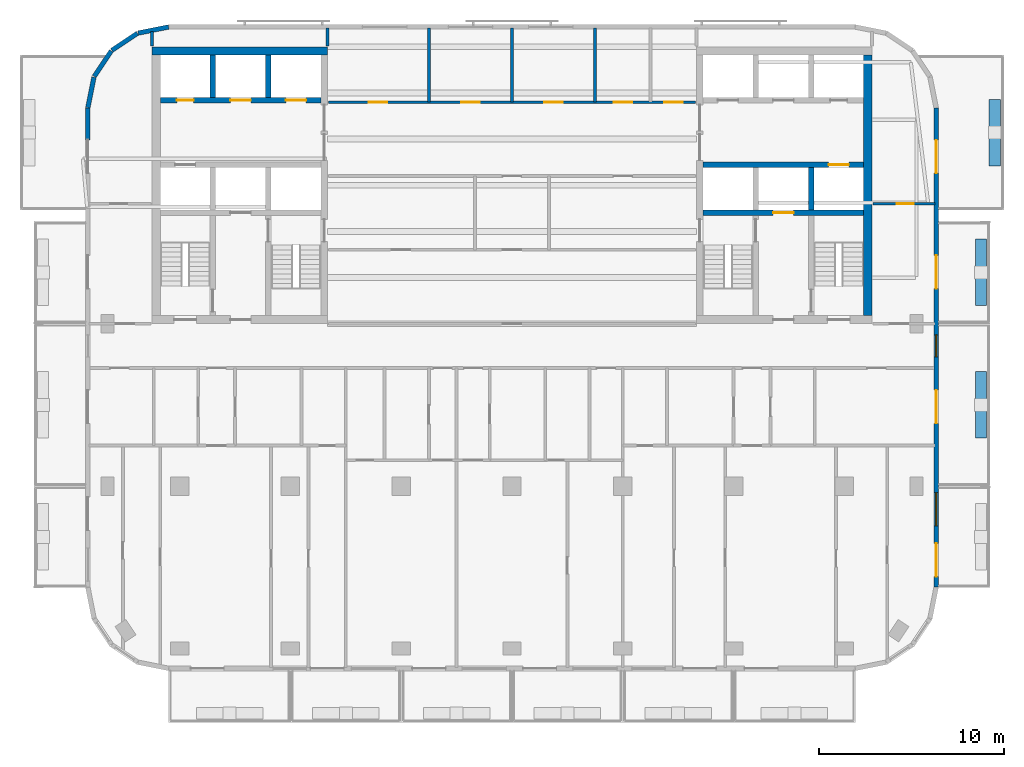
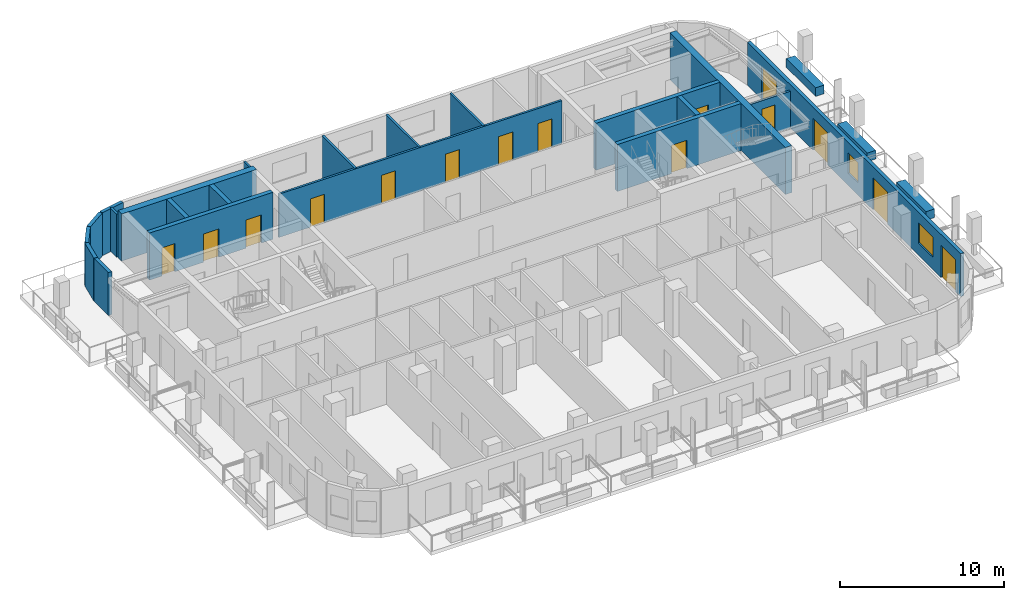
# One storey, part 6 of 11: 24 walls, 15 doors, 2 windows, 17 openings.
"""IFC4 building model written with IfcOpenShell, lengths in metres."""

from ifc_helpers import new_model, si_unit, direction, frame, frame_2d, origin, place, context, subcontext, project, spatial, rectangle, extrude, material, layer, layer_set, type_object, element, fill, save


model = new_model("IFC4")

# Units and contexts
model_context = context("Model", 3, precision=1e-05, world=origin(), true_north=direction((0.0, 1.0)))
body_context = subcontext(model_context, "Body", "Model", "MODEL_VIEW")
ifc_project = project(units=[si_unit("LENGTHUNIT", "METRE"), si_unit("AREAUNIT", "SQUARE_METRE"), si_unit("VOLUMEUNIT", "CUBIC_METRE"), si_unit("PLANEANGLEUNIT", "RADIAN"), si_unit("MASSUNIT", "GRAM", prefix="KILO")], contexts=[model_context])

# Site, building, storey
site_placement = place(None, origin())
site = spatial("IfcSite", under=ifc_project, at=site_placement, CompositionType="ELEMENT")
building_placement = place(site_placement, origin())
building = spatial("IfcBuilding", under=site, at=building_placement, Name="Torana Hotel and Residences", CompositionType="ELEMENT")
storey_placement = place(building_placement, frame((0.0, 0.0, 305.10009765625)))
storey = spatial("IfcBuildingStorey", under=building, at=storey_placement, Name="L81", CompositionType="ELEMENT", Elevation=305.10009765625)

# Wall, openings, doors
ifc_material_1 = material(Name="Concrete C60/75", Category="concrete")
ifc_layer_1 = layer(ifc_material_1, 0.300048828125)
ifc_layer_set_1 = layer_set([ifc_layer_1], Name="CORE WALL 300 C60/75")
wall_type_1 = type_object("IfcWallType", Name="CORE WALL 300 C60/75", PredefinedType="SHEAR", material=ifc_layer_set_1)
wall_1_placement = place(storey_placement, frame((-19.050048828125, -2.89990234375, 0.0), z_axis=(0.0, 0.0, 1.0), x_axis=(1.0, 0.0, 0.0)))
wall_1 = element("IfcWall", 1, at=wall_1_placement, inside=storey, type_object=wall_type_1, Name="Core wall W row-N", PredefinedType="SHEAR", context=body_context, shape_type="SweptSolid", body=[
    extrude(rectangle(XDim=8.699951171875, YDim=0.300048828125, at=frame_2d((4.35009765625, 0.0))), origin(), (0.0, 0.0, 1.0), 3.5),
])
opening_1_placement = place(wall_1_placement, frame((6.800048828125, 0.0, 0.0)))
opening_1 = element("IfcOpeningElement", 2, at=opening_1_placement, cuts=wall_1, Name="Opening LD", PredefinedType="OPENING", context=body_context, shape_type="SweptSolid", body=[
    extrude(rectangle(XDim=1.10009765625, YDim=2.10009765625, at=frame_2d((0.550048828125, 1.050048828125))), frame((0.0, 0.159912109375, 0.0), z_axis=(0.0, -1.0, 0.0), x_axis=(1.0, 0.0, 0.0)), (0.0, 0.0, 1.0), 0.320068359375),
])
opening_2_placement = place(wall_1_placement, frame((3.800048828125, 0.0, 0.0)))
opening_2 = element("IfcOpeningElement", 3, at=opening_2_placement, cuts=wall_1, Name="Opening LD", PredefinedType="OPENING", context=body_context, shape_type="SweptSolid", body=[
    extrude(rectangle(XDim=1.10009765625, YDim=2.10009765625, at=frame_2d((0.550048828125, 1.050048828125))), frame((0.0, 0.159912109375, 0.0), z_axis=(0.0, -1.0, 0.0), x_axis=(1.0, 0.0, 0.0)), (0.0, 0.0, 1.0), 0.320068359375),
])
opening_3_placement = place(wall_1_placement, frame((0.89990234375, 0.0, 0.0)))
opening_3 = element("IfcOpeningElement", 4, at=opening_3_placement, cuts=wall_1, Name="Opening L81-06", PredefinedType="OPENING", context=body_context, shape_type="SweptSolid", body=[
    extrude(rectangle(XDim=0.89990234375, YDim=2.10009765625, at=frame_2d((0.449951171875, 1.050048828125))), frame((0.0, 0.159912109375, 0.0), z_axis=(0.0, -1.0, 0.0), x_axis=(1.0, 0.0, 0.0)), (0.0, 0.0, 1.0), 0.320068359375),
])
ifc_material_2 = material(Name="Stainless steel 316", Category="steel")
door_type_1 = type_object("IfcDoorType", Name="LIFT LANDING DOOR LD 1100x2100", OperationType="DOUBLE_DOOR_SLIDING", PredefinedType="USERDEFINED", material=ifc_material_2)
door_1_placement = place(opening_1_placement, origin())
door_1 = element("IfcDoor", 5, at=door_1_placement, inside=storey, type_object=door_type_1, Name="Lift landing door H1 L81", ObjectType="LIFT LANDING DOOR", OperationType="DOUBLE_DOOR_SLIDING", OverallHeight=2.10009765625, OverallWidth=1.10009765625, PredefinedType="USERDEFINED", context=body_context, shape_type="SweptSolid", body=[
    extrude(rectangle(XDim=1.10009765625, YDim=2.10009765625, at=frame_2d((0.550048828125, 1.050048828125))), frame((0.0, 0.02490234375, 0.0), z_axis=(0.0, -1.0, 0.0), x_axis=(1.0, 0.0, 0.0)), (0.0, 0.0, 1.0), 0.050048828125),
])
fill(opening_1, door_1)
door_2_placement = place(opening_2_placement, origin())
door_2 = element("IfcDoor", 6, at=door_2_placement, inside=storey, type_object=door_type_1, Name="Lift landing door H2 L81", ObjectType="LIFT LANDING DOOR", OperationType="DOUBLE_DOOR_SLIDING", OverallHeight=2.10009765625, OverallWidth=1.10009765625, PredefinedType="USERDEFINED", context=body_context, shape_type="SweptSolid", body=[
    extrude(rectangle(XDim=1.10009765625, YDim=2.10009765625, at=frame_2d((0.550048828125, 1.050048828125))), frame((0.0, 0.02490234375, 0.0), z_axis=(0.0, -1.0, 0.0), x_axis=(1.0, 0.0, 0.0)), (0.0, 0.0, 1.0), 0.050048828125),
])
fill(opening_2, door_2)
ifc_material_3 = material(Name="Steel S235", Category="steel")
door_type_2 = type_object("IfcDoorType", Name="RISER ACCESS DOOR D5 900x2100", OperationType="SINGLE_SWING_LEFT", PredefinedType="DOOR", material=ifc_material_3)
door_3_placement = place(opening_3_placement, origin())
door_3 = element("IfcDoor", 7, at=door_3_placement, inside=storey, type_object=door_type_2, Name="N2 door L81", OperationType="SINGLE_SWING_RIGHT", OverallHeight=2.10009765625, OverallWidth=0.89990234375, PredefinedType="DOOR", context=body_context, shape_type="SweptSolid", body=[
    extrude(rectangle(XDim=0.89990234375, YDim=2.10009765625, at=frame_2d((0.449951171875, 1.050048828125))), frame((0.0, 0.02490234375, 0.0), z_axis=(0.0, -1.0, 0.0), x_axis=(1.0, 0.0, 0.0)), (0.0, 0.0, 1.0), 0.050048828125),
])
fill(opening_3, door_3)

# Walls
for number, where, z_axis, x_axis, name in (
    (8, (-13.199951171875, -2.75, 0.0), (0.0, 0.0, 1.0), (0.0, 1.0, 0.0), "Core wall W x3.05-N"),
    (9, (-16.199951171875, -2.75, 0.0), (0.0, 0.0, 1.0), (0.0, 1.0, 0.0), "Core wall W x6.05-N"),
):
    element("IfcWall", number, at=place(storey_placement, frame(where, z_axis=z_axis, x_axis=x_axis)), inside=storey, type_object=wall_type_1, Name=name, PredefinedType="SHEAR", context=body_context, shape_type="SweptSolid", body=[
        extrude(rectangle(XDim=2.300048828125, YDim=0.300048828125, at=frame_2d((1.14990234375, 0.0))), origin(), (0.0, 0.0, 1.0), 3.5),
    ])

# Wall, opening, door
wall_2_placement = place(storey_placement, frame((10.35009765625, -6.39990234375, 0.0), z_axis=(0.0, 0.0, 1.0), x_axis=(1.0, 0.0, 0.0)))
wall_2 = element("IfcWall", 10, at=wall_2_placement, inside=storey, type_object=wall_type_1, Name="Core wall E row-S", PredefinedType="SHEAR", context=body_context, shape_type="SweptSolid", body=[
    extrude(rectangle(XDim=8.699951171875, YDim=0.300048828125, at=frame_2d((4.35009765625, 0.0))), origin(), (0.0, 0.0, 1.0), 3.5),
])
opening_4_placement = place(wall_2_placement, frame((6.800048828125, 0.0, 0.0)))
opening_4 = element("IfcOpeningElement", 11, at=opening_4_placement, cuts=wall_2, Name="Opening LD", PredefinedType="OPENING", context=body_context, shape_type="SweptSolid", body=[
    extrude(rectangle(XDim=1.10009765625, YDim=2.10009765625, at=frame_2d((0.550048828125, 1.050048828125))), frame((0.0, 0.159912109375, 0.0), z_axis=(0.0, -1.0, 0.0), x_axis=(1.0, 0.0, 0.0)), (0.0, 0.0, 1.0), 0.320068359375),
])
door_4_placement = place(opening_4_placement, origin())
door_4 = element("IfcDoor", 12, at=door_4_placement, inside=storey, type_object=door_type_1, Name="Lift landing door SV2 L81", ObjectType="LIFT LANDING DOOR", OperationType="DOUBLE_DOOR_SLIDING", OverallHeight=2.10009765625, OverallWidth=1.10009765625, PredefinedType="USERDEFINED", context=body_context, shape_type="SweptSolid", body=[
    extrude(rectangle(XDim=1.10009765625, YDim=2.10009765625, at=frame_2d((0.550048828125, 1.050048828125))), frame((0.0, 0.02490234375, 0.0), z_axis=(0.0, -1.0, 0.0), x_axis=(1.0, 0.0, 0.0)), (0.0, 0.0, 1.0), 0.050048828125),
])
fill(opening_4, door_4)

wall_3_placement = place(storey_placement, frame((10.35009765625, -9.0, 0.0), z_axis=(0.0, 0.0, 1.0), x_axis=(1.0, 0.0, 0.0)))
wall_3 = element("IfcWall", 13, at=wall_3_placement, inside=storey, type_object=wall_type_1, Name="Core wall E band", PredefinedType="SHEAR", context=body_context, shape_type="SweptSolid", body=[
    extrude(rectangle(XDim=8.699951171875, YDim=0.300048828125, at=frame_2d((4.35009765625, 0.0))), origin(), (0.0, 0.0, 1.0), 3.5),
])
opening_5_placement = place(wall_3_placement, frame((3.800048828125, 0.0, 0.0)))
opening_5 = element("IfcOpeningElement", 14, at=opening_5_placement, cuts=wall_3, Name="Opening LD", PredefinedType="OPENING", context=body_context, shape_type="SweptSolid", body=[
    extrude(rectangle(XDim=1.10009765625, YDim=2.10009765625, at=frame_2d((0.550048828125, 1.050048828125))), frame((0.0, 0.159912109375, 0.0), z_axis=(0.0, -1.0, 0.0), x_axis=(1.0, 0.0, 0.0)), (0.0, 0.0, 1.0), 0.320068359375),
])
door_5_placement = place(opening_5_placement, origin())
door_5 = element("IfcDoor", 15, at=door_5_placement, inside=storey, type_object=door_type_1, Name="Lift landing door FF2 L81", ObjectType="LIFT LANDING DOOR", OperationType="DOUBLE_DOOR_SLIDING", OverallHeight=2.10009765625, OverallWidth=1.10009765625, PredefinedType="USERDEFINED", context=body_context, shape_type="SweptSolid", body=[
    extrude(rectangle(XDim=1.10009765625, YDim=2.10009765625, at=frame_2d((0.550048828125, 1.050048828125))), frame((0.0, 0.02490234375, 0.0), z_axis=(0.0, -1.0, 0.0), x_axis=(1.0, 0.0, 0.0)), (0.0, 0.0, 1.0), 0.050048828125),
])
fill(opening_5, door_5)

# Walls
wall_4_placement = place(storey_placement, frame((16.199951171875, -8.85009765625, 0.0), z_axis=(0.0, 0.0, 1.0), x_axis=(0.0, 1.0, 0.0)))
element("IfcWall", 16, at=wall_4_placement, inside=storey, type_object=wall_type_1, Name="Core wall E x6.05-S", PredefinedType="SHEAR", context=body_context, shape_type="SweptSolid", body=[
    extrude(rectangle(XDim=2.300048828125, YDim=0.300048828125, at=frame_2d((1.14990234375, 0.0))), origin(), (0.0, 0.0, 1.0), 3.5),
])
ifc_material_4 = material(Name="Concrete C60/75", Category="concrete")
ifc_layer_2 = layer(ifc_material_4, 0.449951171875)
ifc_layer_set_2 = layer_set([ifc_layer_2], Name="CORE WALL 450 C60/75")
wall_type_2 = type_object("IfcWallType", Name="CORE WALL 450 C60/75", PredefinedType="SHEAR", material=ifc_layer_set_2)
wall_5_placement = place(storey_placement, frame((-19.5, -0.22509765625, 0.0), z_axis=(0.0, 0.0, 1.0), x_axis=(1.0, 0.0, 0.0)))
element("IfcWall", 17, at=wall_5_placement, inside=storey, type_object=wall_type_2, Name="Core wall W rear", PredefinedType="SHEAR", context=body_context, shape_type="SweptSolid", body=[
    extrude(rectangle(XDim=9.5, YDim=0.449951171875, at=frame_2d((4.75, 0.0))), origin(), (0.0, 0.0, 1.0), 3.5),
])
wall_6_placement = place(storey_placement, frame((19.27490234375, -14.550048828125, 0.0), z_axis=(0.0, 0.0, 1.0), x_axis=(0.0, 1.0, 0.0)))
element("IfcWall", 18, at=wall_6_placement, inside=storey, type_object=wall_type_2, Name="Core wall E outer", PredefinedType="SHEAR", context=body_context, shape_type="SweptSolid", body=[
    extrude(rectangle(XDim=14.10009765625, YDim=0.449951171875, at=frame_2d((7.050048828125, 0.0))), origin(), (0.0, 0.0, 1.0), 3.5),
])
ifc_material_5 = material(Name="Black aluminium composite panel", Category="aluminium")
ifc_layer_3 = layer(ifc_material_5, 0.00390625, Name="Cladding", Category="cladding")
ifc_material_6 = material(Name="Ventilated air cavity")
ifc_layer_4 = layer(ifc_material_6, 0.0400390625, Name="Ventilated cavity", Category="cavity")
ifc_material_7 = material(Name="Mineral wool insulation")
ifc_layer_5 = layer(ifc_material_7, 0.090087890625, Name="Insulation", Category="insulation")
ifc_material_8 = material(Name="Steel S280GD", Category="steel")
ifc_layer_6 = layer(ifc_material_8, 0.092041015625, Name="Steel stud frame", Category="structure")
ifc_material_9 = material(Name="Fire rated plasterboard")
ifc_layer_7 = layer(ifc_material_9, 0.011962890625, Name="Inner board", Category="finish")
ifc_layer_8 = layer(ifc_material_9, 0.011962890625, Name="Second board", Category="finish")
ifc_layer_set_3 = layer_set([ifc_layer_3, ifc_layer_4, ifc_layer_5, ifc_layer_6, ifc_layer_7, ifc_layer_8], Name="EW1 EXTERNAL WALL BLACK METAL CLAD 250")
wall_type_3 = type_object("IfcWallType", Name="EW1 EXTERNAL WALL BLACK METAL CLAD 250", PredefinedType="SOLIDWALL", material=ifc_layer_set_3)
wall_7_placement = place(storey_placement, frame((-18.599853515625, 1.072509765625, 0.0), z_axis=(0.0, 0.0, 1.0), x_axis=(-0.980797896849, -0.195026884138, 0.0)))
element("IfcWall", 19, at=wall_7_placement, inside=storey, type_object=wall_type_3, Name="External wall L81 e0.5", PredefinedType="SOLIDWALL", context=body_context, shape_type="SweptSolid", body=[
    extrude(rectangle(XDim=1.68115234375, YDim=0.25, at=frame_2d((0.840576171875, 0.0))), origin(), (0.0, 0.0, 1.0), 3.199951171875),
])
for number, where, z_axis, x_axis, name in (
    (20, (-20.2939453125, 0.725830078125, 0.0), (0.0, 0.0, 1.0), (-0.831482937015, -0.55555029066, 0.0), "External wall L81 e0.6"),
    (21, (-21.705810546875, -0.228759765625, 0.0), (0.0, 0.0, 1.0), (-0.55555029066, -0.831482937015, 0.0), "External wall L81 e0.7"),
):
    element("IfcWall", number, at=place(storey_placement, frame(where, z_axis=z_axis, x_axis=x_axis)), inside=storey, type_object=wall_type_3, Name=name, PredefinedType="SOLIDWALL", context=body_context, shape_type="SweptSolid", body=[
        extrude(rectangle(XDim=1.65625, YDim=0.25, at=frame_2d((0.828125, 0.0))), origin(), (0.0, 0.0, 1.0), 3.199951171875),
    ])
wall_8_placement = place(storey_placement, frame((-22.64453125, -1.651123046875, 0.0), z_axis=(0.0, 0.0, 1.0), x_axis=(-0.19513878023, -0.980775640221, 0.0)))
element("IfcWall", 22, at=wall_8_placement, inside=storey, type_object=wall_type_3, Name="External wall L81 e0.8", PredefinedType="SOLIDWALL", context=body_context, shape_type="SweptSolid", body=[
    extrude(rectangle(XDim=1.681396484375, YDim=0.25, at=frame_2d((0.8408203125, 0.0))), origin(), (0.0, 0.0, 1.0), 3.199951171875),
])
wall_9_placement = place(storey_placement, frame((-22.97509765625, -3.32470703125, 0.0), z_axis=(0.0, 0.0, 1.0), x_axis=(0.0, -1.0, 0.0)))
element("IfcWall", 23, at=wall_9_placement, inside=storey, type_object=wall_type_3, Name="External wall L81 e0.9", PredefinedType="SOLIDWALL", context=body_context, shape_type="SweptSolid", body=[
    extrude(rectangle(XDim=1.725341796875, YDim=0.25, at=frame_2d((0.86279296875, 0.0))), origin(), (0.0, 0.0, 1.0), 3.199951171875),
])

# Wall, openings, doors, windows
wall_10_placement = place(storey_placement, frame((22.97509765625, -29.275390625, 0.0), z_axis=(0.0, 0.0, 1.0), x_axis=(0.0, 1.0, 0.0)))
wall_10 = element("IfcWall", 24, at=wall_10_placement, inside=storey, type_object=wall_type_3, Name="External wall L81 e0.19", PredefinedType="SOLIDWALL", context=body_context, shape_type="SweptSolid", body=[
    extrude(rectangle(XDim=25.95068359375, YDim=0.25, at=frame_2d((12.975341796875, 0.0))), origin(), (0.0, 0.0, 1.0), 3.199951171875),
])
opening_6_placement = place(wall_10_placement, frame((0.575439453125, 0.0, 0.0)))
opening_6 = element("IfcOpeningElement", 25, at=opening_6_placement, cuts=wall_10, Name="Opening L81-E07", PredefinedType="OPENING", context=body_context, shape_type="SweptSolid", body=[
    extrude(rectangle(XDim=1.800048828125, YDim=2.39990234375, at=frame_2d((0.89990234375, 1.199951171875))), frame((0.0, 0.135009765625, 0.0), z_axis=(0.0, -1.0, 0.0), x_axis=(1.0, 0.0, 0.0)), (0.0, 0.0, 1.0), 0.27001953125),
])
opening_7_placement = place(wall_10_placement, frame((3.325439453125, 0.0, 0.89990234375)))
opening_7 = element("IfcOpeningElement", 26, at=opening_7_placement, cuts=wall_10, Name="Opening W4", PredefinedType="OPENING", context=body_context, shape_type="SweptSolid", body=[
    extrude(rectangle(XDim=1.800048828125, YDim=1.5, at=frame_2d((0.89990234375, 0.75))), frame((0.0, 0.135009765625, 0.0), z_axis=(0.0, -1.0, 0.0), x_axis=(1.0, 0.0, 0.0)), (0.0, 0.0, 1.0), 0.27001953125),
])
opening_8_placement = place(wall_10_placement, frame((8.87548828125, 0.0, 0.0)))
opening_8 = element("IfcOpeningElement", 27, at=opening_8_placement, cuts=wall_10, Name="Opening L81-E08", PredefinedType="OPENING", context=body_context, shape_type="SweptSolid", body=[
    extrude(rectangle(XDim=1.800048828125, YDim=2.39990234375, at=frame_2d((0.89990234375, 1.199951171875))), frame((0.0, 0.135009765625, 0.0), z_axis=(0.0, -1.0, 0.0), x_axis=(1.0, 0.0, 0.0)), (0.0, 0.0, 1.0), 0.27001953125),
])
opening_9_placement = place(wall_10_placement, frame((12.475341796875, 0.0, 0.89990234375)))
opening_9 = element("IfcOpeningElement", 28, at=opening_9_placement, cuts=wall_10, Name="Opening W5", PredefinedType="OPENING", context=body_context, shape_type="SweptSolid", body=[
    extrude(rectangle(XDim=1.199951171875, YDim=1.5, at=frame_2d((0.60009765625, 0.75))), frame((0.0, 0.135009765625, 0.0), z_axis=(0.0, -1.0, 0.0), x_axis=(1.0, 0.0, 0.0)), (0.0, 0.0, 1.0), 0.27001953125),
])
opening_10_placement = place(wall_10_placement, frame((16.17529296875, 0.0, 0.0)))
opening_10 = element("IfcOpeningElement", 29, at=opening_10_placement, cuts=wall_10, Name="Opening L81-E09", PredefinedType="OPENING", context=body_context, shape_type="SweptSolid", body=[
    extrude(rectangle(XDim=1.800048828125, YDim=2.39990234375, at=frame_2d((0.89990234375, 1.199951171875))), frame((0.0, 0.135009765625, 0.0), z_axis=(0.0, -1.0, 0.0), x_axis=(1.0, 0.0, 0.0)), (0.0, 0.0, 1.0), 0.27001953125),
])
opening_11_placement = place(wall_10_placement, frame((22.42529296875, 0.0, 0.0)))
opening_11 = element("IfcOpeningElement", 30, at=opening_11_placement, cuts=wall_10, Name="Opening L81-E10", PredefinedType="OPENING", context=body_context, shape_type="SweptSolid", body=[
    extrude(rectangle(XDim=1.800048828125, YDim=2.39990234375, at=frame_2d((0.89990234375, 1.199951171875))), frame((0.0, 0.135009765625, 0.0), z_axis=(0.0, -1.0, 0.0), x_axis=(1.0, 0.0, 0.0)), (0.0, 0.0, 1.0), 0.27001953125),
])
ifc_material_10 = material(Name="Dark glass in black aluminium frame", Category="aluminium")
door_type_3 = type_object("IfcDoorType", Name="DB1 BALCONY DOOR 1800x2400", OperationType="DOUBLE_DOOR_SINGLE_SWING", PredefinedType="DOOR", material=ifc_material_10)
door_6_placement = place(opening_6_placement, origin())
door_6 = element("IfcDoor", 31, at=door_6_placement, inside=storey, type_object=door_type_3, Name="Balcony door L81", OperationType="DOUBLE_DOOR_SINGLE_SWING", OverallHeight=2.39990234375, OverallWidth=1.800048828125, PredefinedType="DOOR", context=body_context, shape_type="SweptSolid", body=[
    extrude(rectangle(XDim=1.800048828125, YDim=2.39990234375, at=frame_2d((0.89990234375, 1.199951171875))), frame((0.0, 0.02490234375, 0.0), z_axis=(0.0, -1.0, 0.0), x_axis=(1.0, 0.0, 0.0)), (0.0, 0.0, 1.0), 0.050048828125),
])
fill(opening_6, door_6)
door_7_placement = place(opening_8_placement, origin())
door_7 = element("IfcDoor", 32, at=door_7_placement, inside=storey, type_object=door_type_3, Name="Balcony door L81", OperationType="DOUBLE_DOOR_SINGLE_SWING", OverallHeight=2.39990234375, OverallWidth=1.800048828125, PredefinedType="DOOR", context=body_context, shape_type="SweptSolid", body=[
    extrude(rectangle(XDim=1.800048828125, YDim=2.39990234375, at=frame_2d((0.89990234375, 1.199951171875))), frame((0.0, 0.02490234375, 0.0), z_axis=(0.0, -1.0, 0.0), x_axis=(1.0, 0.0, 0.0)), (0.0, 0.0, 1.0), 0.050048828125),
])
fill(opening_8, door_7)
door_8_placement = place(opening_10_placement, origin())
door_8 = element("IfcDoor", 33, at=door_8_placement, inside=storey, type_object=door_type_3, Name="Balcony door L81", OperationType="DOUBLE_DOOR_SINGLE_SWING", OverallHeight=2.39990234375, OverallWidth=1.800048828125, PredefinedType="DOOR", context=body_context, shape_type="SweptSolid", body=[
    extrude(rectangle(XDim=1.800048828125, YDim=2.39990234375, at=frame_2d((0.89990234375, 1.199951171875))), frame((0.0, 0.02490234375, 0.0), z_axis=(0.0, -1.0, 0.0), x_axis=(1.0, 0.0, 0.0)), (0.0, 0.0, 1.0), 0.050048828125),
])
fill(opening_10, door_8)
door_9_placement = place(opening_11_placement, origin())
door_9 = element("IfcDoor", 34, at=door_9_placement, inside=storey, type_object=door_type_3, Name="Balcony door L81", OperationType="DOUBLE_DOOR_SINGLE_SWING", OverallHeight=2.39990234375, OverallWidth=1.800048828125, PredefinedType="DOOR", context=body_context, shape_type="SweptSolid", body=[
    extrude(rectangle(XDim=1.800048828125, YDim=2.39990234375, at=frame_2d((0.89990234375, 1.199951171875))), frame((0.0, 0.02490234375, 0.0), z_axis=(0.0, -1.0, 0.0), x_axis=(1.0, 0.0, 0.0)), (0.0, 0.0, 1.0), 0.050048828125),
])
fill(opening_11, door_9)
ifc_material_11 = material(Name="Dark glass in black aluminium frame", Category="aluminium")
window_type_1 = type_object("IfcWindowType", Name="W4 RESIDENCE WINDOW NARROW 1800x1500", PartitioningType="SINGLE_PANEL", PredefinedType="WINDOW", material=ifc_material_11)
window_1_placement = place(opening_7_placement, origin())
window_1 = element("IfcWindow", 35, at=window_1_placement, inside=storey, type_object=window_type_1, Name="Window L81", OverallHeight=1.5, OverallWidth=1.800048828125, PartitioningType="SINGLE_PANEL", PredefinedType="WINDOW", context=body_context, shape_type="SweptSolid", body=[
    extrude(rectangle(XDim=1.800048828125, YDim=1.5, at=frame_2d((0.89990234375, 0.75))), frame((0.0, 0.030029296875, 0.0), z_axis=(0.0, -1.0, 0.0), x_axis=(1.0, 0.0, 0.0)), (0.0, 0.0, 1.0), 0.06005859375),
])
fill(opening_7, window_1)
ifc_material_12 = material(Name="Dark glass in black aluminium frame", Category="aluminium")
window_type_2 = type_object("IfcWindowType", Name="W5 CORNER FACET WINDOW 1200x1500", PartitioningType="SINGLE_PANEL", PredefinedType="WINDOW", material=ifc_material_12)
window_2_placement = place(opening_9_placement, origin())
window_2 = element("IfcWindow", 36, at=window_2_placement, inside=storey, type_object=window_type_2, Name="Window L81", OverallHeight=1.5, OverallWidth=1.199951171875, PartitioningType="SINGLE_PANEL", PredefinedType="WINDOW", context=body_context, shape_type="SweptSolid", body=[
    extrude(rectangle(XDim=1.199951171875, YDim=1.5, at=frame_2d((0.60009765625, 0.75))), frame((0.0, 0.030029296875, 0.0), z_axis=(0.0, -1.0, 0.0), x_axis=(1.0, 0.0, 0.0)), (0.0, 0.0, 1.0), 0.06005859375),
])
fill(opening_9, window_2)

# Wall, openings, doors
ifc_material_13 = material(Name="Gypsum plaster")
ifc_layer_9 = layer(ifc_material_13, 0.014892578125, Name="Plaster", Category="finish")
ifc_material_14 = material(Name="Concrete blockwork", Category="masonry")
ifc_layer_10 = layer(ifc_material_14, 0.1201171875, Name="Blockwork", Category="structure")
ifc_layer_11 = layer(ifc_material_13, 0.014892578125, Name="Plaster", Category="finish")
ifc_layer_set_4 = layer_set([ifc_layer_9, ifc_layer_10, ifc_layer_11], Name="FIRE PARTITION 150 BLOCKWORK")
wall_type_4 = type_object("IfcWallType", Name="FIRE PARTITION 150 BLOCKWORK", PredefinedType="PARTITIONING", material=ifc_layer_set_4)
wall_11_placement = place(storey_placement, frame((-9.949951171875, -3.0, 0.0), z_axis=(0.0, 0.0, 1.0), x_axis=(1.0, 0.0, 0.0)))
wall_11 = element("IfcWall", 37, at=wall_11_placement, inside=storey, type_object=wall_type_4, Name="Partition L81", PredefinedType="PARTITIONING", context=body_context, shape_type="SweptSolid", body=[
    extrude(rectangle(XDim=19.89990234375, YDim=0.14990234375, at=frame_2d((9.949951171875, 0.0))), origin(), (0.0, 0.0, 1.0), 3.219970703125),
])
opening_12_placement = place(wall_11_placement, frame((2.199951171875, 0.0, 0.0)))
opening_12 = element("IfcOpeningElement", 38, at=opening_12_placement, cuts=wall_11, Name="Opening L81-31", PredefinedType="OPENING", context=body_context, shape_type="SweptSolid", body=[
    extrude(rectangle(XDim=1.0, YDim=2.10009765625, at=frame_2d((0.5, 1.050048828125))), frame((0.0, 0.0849609375, 0.0), z_axis=(0.0, -1.0, 0.0), x_axis=(1.0, 0.0, 0.0)), (0.0, 0.0, 1.0), 0.169921875),
])
opening_13_placement = place(wall_11_placement, frame((7.199951171875, 0.0, 0.0)))
opening_13 = element("IfcOpeningElement", 39, at=opening_13_placement, cuts=wall_11, Name="Opening L81-32", PredefinedType="OPENING", context=body_context, shape_type="SweptSolid", body=[
    extrude(rectangle(XDim=1.0, YDim=2.10009765625, at=frame_2d((0.5, 1.050048828125))), frame((0.0, 0.0849609375, 0.0), z_axis=(0.0, -1.0, 0.0), x_axis=(1.0, 0.0, 0.0)), (0.0, 0.0, 1.0), 0.169921875),
])
opening_14_placement = place(wall_11_placement, frame((11.699951171875, 0.0, 0.0)))
opening_14 = element("IfcOpeningElement", 40, at=opening_14_placement, cuts=wall_11, Name="Opening L81-33", PredefinedType="OPENING", context=body_context, shape_type="SweptSolid", body=[
    extrude(rectangle(XDim=1.0, YDim=2.10009765625, at=frame_2d((0.5, 1.050048828125))), frame((0.0, 0.0849609375, 0.0), z_axis=(0.0, -1.0, 0.0), x_axis=(1.0, 0.0, 0.0)), (0.0, 0.0, 1.0), 0.169921875),
])
opening_15_placement = place(wall_11_placement, frame((15.449951171875, 0.0, 0.0)))
opening_15 = element("IfcOpeningElement", 41, at=opening_15_placement, cuts=wall_11, Name="Opening L81-34", PredefinedType="OPENING", context=body_context, shape_type="SweptSolid", body=[
    extrude(rectangle(XDim=1.0, YDim=2.10009765625, at=frame_2d((0.5, 1.050048828125))), frame((0.0, 0.0849609375, 0.0), z_axis=(0.0, -1.0, 0.0), x_axis=(1.0, 0.0, 0.0)), (0.0, 0.0, 1.0), 0.169921875),
])
opening_16_placement = place(wall_11_placement, frame((18.199951171875, 0.0, 0.0)))
opening_16 = element("IfcOpeningElement", 42, at=opening_16_placement, cuts=wall_11, Name="Opening L81-35", PredefinedType="OPENING", context=body_context, shape_type="SweptSolid", body=[
    extrude(rectangle(XDim=1.0, YDim=2.10009765625, at=frame_2d((0.5, 1.050048828125))), frame((0.0, 0.0849609375, 0.0), z_axis=(0.0, -1.0, 0.0), x_axis=(1.0, 0.0, 0.0)), (0.0, 0.0, 1.0), 0.169921875),
])
ifc_material_15 = material(Name="Steel S235", Category="steel")
door_type_4 = type_object("IfcDoorType", Name="ENTRY FIRE DOOR D6 1000x2100", OperationType="SINGLE_SWING_LEFT", PredefinedType="DOOR", material=ifc_material_15)
door_10_placement = place(opening_12_placement, origin())
door_10 = element("IfcDoor", 43, at=door_10_placement, inside=storey, type_object=door_type_4, Name="Door L81", OperationType="SINGLE_SWING_RIGHT", OverallHeight=2.10009765625, OverallWidth=1.0, PredefinedType="DOOR", context=body_context, shape_type="SweptSolid", body=[
    extrude(rectangle(XDim=1.0, YDim=2.10009765625, at=frame_2d((0.5, 1.050048828125))), frame((0.0, 0.02490234375, 0.0), z_axis=(0.0, -1.0, 0.0), x_axis=(1.0, 0.0, 0.0)), (0.0, 0.0, 1.0), 0.050048828125),
])
fill(opening_12, door_10)
door_11_placement = place(opening_13_placement, origin())
door_11 = element("IfcDoor", 44, at=door_11_placement, inside=storey, type_object=door_type_4, Name="Door L81", OperationType="SINGLE_SWING_RIGHT", OverallHeight=2.10009765625, OverallWidth=1.0, PredefinedType="DOOR", context=body_context, shape_type="SweptSolid", body=[
    extrude(rectangle(XDim=1.0, YDim=2.10009765625, at=frame_2d((0.5, 1.050048828125))), frame((0.0, 0.02490234375, 0.0), z_axis=(0.0, -1.0, 0.0), x_axis=(1.0, 0.0, 0.0)), (0.0, 0.0, 1.0), 0.050048828125),
])
fill(opening_13, door_11)
door_12_placement = place(opening_14_placement, origin())
door_12 = element("IfcDoor", 45, at=door_12_placement, inside=storey, type_object=door_type_4, Name="Door L81", OperationType="SINGLE_SWING_RIGHT", OverallHeight=2.10009765625, OverallWidth=1.0, PredefinedType="DOOR", context=body_context, shape_type="SweptSolid", body=[
    extrude(rectangle(XDim=1.0, YDim=2.10009765625, at=frame_2d((0.5, 1.050048828125))), frame((0.0, 0.02490234375, 0.0), z_axis=(0.0, -1.0, 0.0), x_axis=(1.0, 0.0, 0.0)), (0.0, 0.0, 1.0), 0.050048828125),
])
fill(opening_14, door_12)
door_13_placement = place(opening_15_placement, origin())
door_13 = element("IfcDoor", 46, at=door_13_placement, inside=storey, type_object=door_type_4, Name="Door L81", OperationType="SINGLE_SWING_RIGHT", OverallHeight=2.10009765625, OverallWidth=1.0, PredefinedType="DOOR", context=body_context, shape_type="SweptSolid", body=[
    extrude(rectangle(XDim=1.0, YDim=2.10009765625, at=frame_2d((0.5, 1.050048828125))), frame((0.0, 0.02490234375, 0.0), z_axis=(0.0, -1.0, 0.0), x_axis=(1.0, 0.0, 0.0)), (0.0, 0.0, 1.0), 0.050048828125),
])
fill(opening_15, door_13)
door_14_placement = place(opening_16_placement, origin())
door_14 = element("IfcDoor", 47, at=door_14_placement, inside=storey, type_object=door_type_4, Name="Door L81", OperationType="SINGLE_SWING_RIGHT", OverallHeight=2.10009765625, OverallWidth=1.0, PredefinedType="DOOR", context=body_context, shape_type="SweptSolid", body=[
    extrude(rectangle(XDim=1.0, YDim=2.10009765625, at=frame_2d((0.5, 1.050048828125))), frame((0.0, 0.02490234375, 0.0), z_axis=(0.0, -1.0, 0.0), x_axis=(1.0, 0.0, 0.0)), (0.0, 0.0, 1.0), 0.050048828125),
])
fill(opening_16, door_14)

# Walls
ifc_material_16 = material(Name="Gypsum plasterboard")
ifc_layer_12 = layer(ifc_material_16, 0.012451171875, Name="Plasterboard", Category="finish")
ifc_layer_13 = layer(ifc_material_16, 0.012451171875, Name="Plasterboard", Category="finish")
ifc_layer_14 = layer(ifc_material_8, 0.10009765625, Name="Steel studs with mineral wool", Category="insulation")
ifc_layer_15 = layer(ifc_material_16, 0.012451171875, Name="Plasterboard", Category="finish")
ifc_layer_16 = layer(ifc_material_16, 0.012451171875, Name="Plasterboard", Category="finish")
ifc_layer_set_5 = layer_set([ifc_layer_12, ifc_layer_13, ifc_layer_14, ifc_layer_15, ifc_layer_16], Name="PARTITION 150 PLASTERBOARD")
wall_type_5 = type_object("IfcWallType", Name="PARTITION 150 PLASTERBOARD", PredefinedType="PARTITIONING", material=ifc_layer_set_5)
for number, where, z_axis, x_axis, name in (
    (48, (0.0, -3.0, 0.0), (0.0, 0.0, 1.0), (0.0, 1.0, 0.0), "Partition L81"),
    (49, (-4.5, -3.0, 0.0), (0.0, 0.0, 1.0), (0.0, 1.0, 0.0), "Partition L81"),
):
    element("IfcWall", number, at=place(storey_placement, frame(where, z_axis=z_axis, x_axis=x_axis)), inside=storey, type_object=wall_type_5, Name=name, PredefinedType="PARTITIONING", context=body_context, shape_type="SweptSolid", body=[
        extrude(rectangle(XDim=4.02001953125, YDim=0.14990234375, at=frame_2d((2.010009765625, 0.0))), origin(), (0.0, 0.0, 1.0), 3.219970703125),
    ])
wall_12_placement = place(storey_placement, frame((-10.0, 0.050048828125, 0.0), z_axis=(0.0, 0.0, 1.0), x_axis=(0.0, 1.0, 0.0)))
element("IfcWall", 50, at=wall_12_placement, inside=storey, type_object=wall_type_5, Name="Partition L81", PredefinedType="PARTITIONING", context=body_context, shape_type="SweptSolid", body=[
    extrude(rectangle(XDim=0.969970703125, YDim=0.14990234375, at=frame_2d((0.48486328125, 0.0))), origin(), (0.0, 0.0, 1.0), 3.219970703125),
])
wall_13_placement = place(storey_placement, frame((-19.5, 0.050048828125, 0.0), z_axis=(0.0, 0.0, 1.0), x_axis=(0.0, 1.0, 0.0)))
element("IfcWall", 51, at=wall_13_placement, inside=storey, type_object=wall_type_5, Name="Partition L81", PredefinedType="PARTITIONING", context=body_context, shape_type="SweptSolid", body=[
    extrude(rectangle(XDim=0.787353515625, YDim=0.14990234375, at=frame_2d((0.3935546875, 0.0))), origin(), (0.0, 0.0, 1.0), 3.219970703125),
])
ifc_material_17 = material(Name="Concrete C40/50 precast", Category="concrete")
ifc_layer_17 = layer(ifc_material_17, 0.10009765625, Name="Planter shell", Category="structure")
ifc_material_18 = material(Name="Root resistant membrane")
ifc_layer_18 = layer(ifc_material_18, 0.00390625, Name="Waterproofing membrane", Category="membrane")
ifc_material_19 = material(Name="Drainage board with filter fleece")
ifc_layer_19 = layer(ifc_material_19, 0.02001953125, Name="Drainage board", Category="drainage")
ifc_material_20 = material(Name="Growing medium")
ifc_layer_20 = layer(ifc_material_20, 0.47607421875, Name="Planting substrate", Category="soil")
ifc_layer_set_6 = layer_set([ifc_layer_17, ifc_layer_18, ifc_layer_19, ifc_layer_20], Name="PL1 BALCONY PLANTER 600")
wall_type_6 = type_object("IfcWallType", Name="PL1 BALCONY PLANTER 600", PredefinedType="USERDEFINED", material=ifc_layer_set_6)
for number, where, z_axis, x_axis, name in (
    (52, (25.39990234375, -17.60009765625, 0.0), (0.0, 0.0, 1.0), (0.0, -1.0, 0.0), "Planter 12"),
    (53, (25.39990234375, -10.425048828125, 0.0), (0.0, 0.0, 1.0), (0.0, -1.0, 0.0), "Planter 13"),
    (54, (26.14990234375, -2.85009765625, 0.0), (0.0, 0.0, 1.0), (0.0, -1.0, 0.0), "Planter 14"),
):
    element("IfcWall", number, at=place(storey_placement, frame(where, z_axis=z_axis, x_axis=x_axis)), inside=storey, type_object=wall_type_6, Name=name, ObjectType="PLANTER", PredefinedType="USERDEFINED", context=body_context, shape_type="SweptSolid", body=[
        extrude(rectangle(XDim=3.599853515625, YDim=0.60009765625, at=frame_2d((1.7998046875, 0.0))), origin(), (0.0, 0.0, 1.0), 0.64990234375),
    ])
ifc_material_21 = material(Name="Ceramic tile on adhesive")
ifc_layer_21 = layer(ifc_material_21, 0.010009765625, Name="Wall tile", Category="finish")
ifc_material_22 = material(Name="Cement render")
ifc_layer_22 = layer(ifc_material_22, 0.010009765625, Name="Render", Category="finish")
ifc_layer_23 = layer(ifc_material_14, 0.110107421875, Name="Blockwork", Category="structure")
ifc_layer_24 = layer(ifc_material_22, 0.010009765625, Name="Render", Category="finish")
ifc_layer_25 = layer(ifc_material_21, 0.010009765625, Name="Wall tile", Category="finish")
ifc_layer_set_7 = layer_set([ifc_layer_21, ifc_layer_22, ifc_layer_23, ifc_layer_24, ifc_layer_25], Name="WC PARTITION 150")
wall_type_7 = type_object("IfcWallType", Name="WC PARTITION 150", PredefinedType="PLUMBINGWALL", material=ifc_layer_set_7)
wall_14_placement = place(storey_placement, frame((4.5, -3.0, 0.0), z_axis=(0.0, 0.0, 1.0), x_axis=(0.0, 1.0, 0.0)))
element("IfcWall", 55, at=wall_14_placement, inside=storey, type_object=wall_type_7, Name="Partition L81", PredefinedType="PLUMBINGWALL", context=body_context, shape_type="SweptSolid", body=[
    extrude(rectangle(XDim=4.02001953125, YDim=0.14990234375, at=frame_2d((2.010009765625, 0.0))), origin(), (0.0, 0.0, 1.0), 3.219970703125),
])

# Wall, opening, door
wall_15_placement = place(storey_placement, frame((19.550048828125, -8.5, 0.0), z_axis=(0.0, 0.0, 1.0), x_axis=(1.0, 0.0, 0.0)))
wall_15 = element("IfcWall", 56, at=wall_15_placement, inside=storey, type_object=wall_type_7, Name="Partition L81", PredefinedType="PLUMBINGWALL", context=body_context, shape_type="SweptSolid", body=[
    extrude(rectangle(XDim=3.369873046875, YDim=0.14990234375, at=frame_2d((1.68505859375, 0.0))), origin(), (0.0, 0.0, 1.0), 2.73291015625),
])
opening_17_placement = place(wall_15_placement, frame((1.300048828125, 0.0, 0.0)))
opening_17 = element("IfcOpeningElement", 57, at=opening_17_placement, cuts=wall_15, Name="Opening L81-60", PredefinedType="OPENING", context=body_context, shape_type="SweptSolid", body=[
    extrude(rectangle(XDim=0.89990234375, YDim=2.10009765625, at=frame_2d((0.449951171875, 1.050048828125))), frame((0.0, 0.0849609375, 0.0), z_axis=(0.0, -1.0, 0.0), x_axis=(1.0, 0.0, 0.0)), (0.0, 0.0, 1.0), 0.169921875),
])
ifc_material_23 = material(Name="Timber door, oiled ash", Category="wood")
door_type_5 = type_object("IfcDoorType", Name="ROOM DOOR D7 900x2100", OperationType="SINGLE_SWING_LEFT", PredefinedType="DOOR", material=ifc_material_23)
door_15_placement = place(opening_17_placement, origin())
door_15 = element("IfcDoor", 58, at=door_15_placement, inside=storey, type_object=door_type_5, Name="Door L81", OperationType="SINGLE_SWING_LEFT", OverallHeight=2.10009765625, OverallWidth=0.89990234375, PredefinedType="DOOR", context=body_context, shape_type="SweptSolid", body=[
    extrude(rectangle(XDim=0.89990234375, YDim=2.10009765625, at=frame_2d((0.449951171875, 1.050048828125))), frame((0.0, 0.02490234375, 0.0), z_axis=(0.0, -1.0, 0.0), x_axis=(1.0, 0.0, 0.0)), (0.0, 0.0, 1.0), 0.050048828125),
])
fill(opening_17, door_15)

save(model, "model.ifc")
